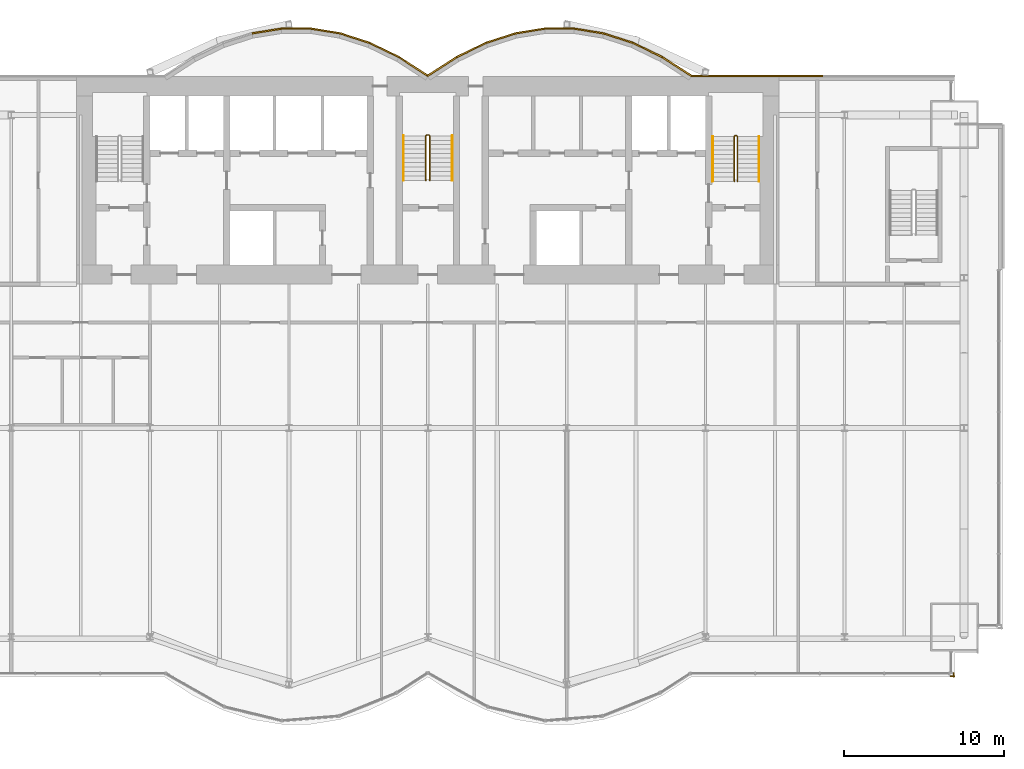
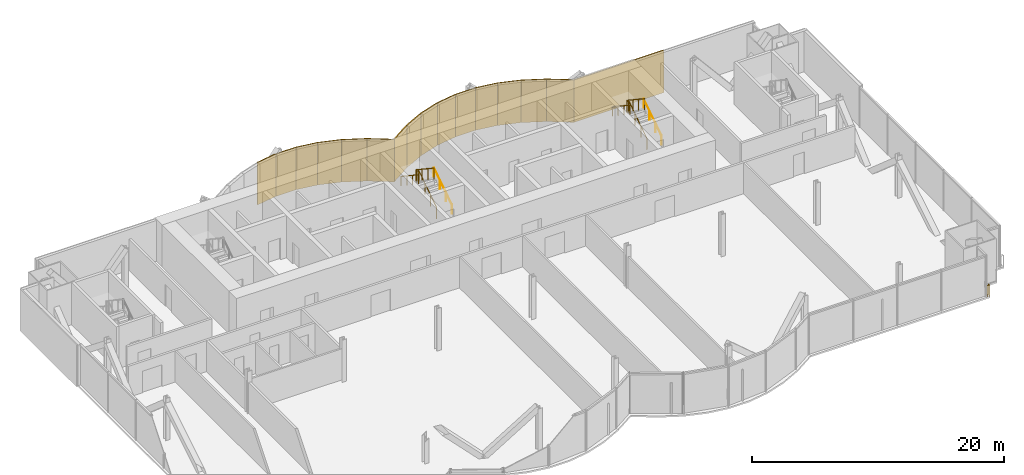
# One storey, part 20 of 21: 16 coverings, 7 railings.
"""IFC4 building model written with IfcOpenShell, lengths in metres."""

from ifc_helpers import new_model, si_unit, direction, frame, origin, origin_2d, place, context, subcontext, project, spatial, rectangle, circle, extrude, material, layer, layer_set, type_object, element, save


model = new_model("IFC4")

# Units and contexts
model_context = context("Model", 3, precision=1e-05, world=origin(), true_north=direction((0.0, 1.0)))
body_context = subcontext(model_context, "Body", "Model", "MODEL_VIEW")
ifc_project = project(units=[si_unit("LENGTHUNIT", "METRE"), si_unit("AREAUNIT", "SQUARE_METRE"), si_unit("VOLUMEUNIT", "CUBIC_METRE"), si_unit("PLANEANGLEUNIT", "RADIAN"), si_unit("MASSUNIT", "GRAM", prefix="KILO")], contexts=[model_context])

# Site, building, storey
site_placement = place(None, origin())
site = spatial("IfcSite", under=ifc_project, at=site_placement, CompositionType="ELEMENT")
building_placement = place(site_placement, origin())
building = spatial("IfcBuilding", under=site, at=building_placement, Name="Bicima Exchange Tower", CompositionType="ELEMENT")
storey_placement = place(building_placement, frame((0.0, 0.0, 114.5)))
storey = spatial("IfcBuildingStorey", under=building, at=storey_placement, Name="L24", CompositionType="ELEMENT", Elevation=114.5)

# Coverings
ifc_material_1 = material(Name="Bronze metal cladding")
ifc_layer_1 = layer(ifc_material_1, 0.004)
ifc_material_2 = material(Name="Ventilated cavity")
ifc_layer_2 = layer(ifc_material_2, 0.06)
ifc_material_3 = material(Name="Galvanised steel rail and mineral wool", Category="steel")
ifc_layer_3 = layer(ifc_material_3, 0.036)
ifc_layer_set = layer_set([ifc_layer_1, ifc_layer_2, ifc_layer_3], Name="Ventilated cavity")
covering_type = type_object("IfcCoveringType", Name="Bronze metal cladding panel 100", PredefinedType="CLADDING", material=ifc_layer_set)
covering_1_placement = place(storey_placement, frame((20.625, 0.050048828125, -0.150146484375), z_axis=(0.0, 0.0, 1.0), x_axis=(-1.0, 0.0, 0.0)))
element("IfcCovering", 1, at=covering_1_placement, inside=storey, type_object=covering_type, Name="Bronze cladding L24 1.2", PredefinedType="CLADDING", context=body_context, shape_type="SweptSolid", body=[
    extrude(rectangle(XDim=8.25, YDim=0.10009765625, at=origin_2d()), origin(), (0.0, 0.0, 1.0), 4.10009765625),
])
covering_2_placement = place(storey_placement, frame((15.610595703125, 0.634521484375, -0.150146484375), z_axis=(0.0, 0.0, 1.0), x_axis=(-0.839790466384, 0.542910648791, 0.0)))
element("IfcCovering", 2, at=covering_2_placement, inside=storey, type_object=covering_type, Name="Bronze cladding L24 2.1", PredefinedType="CLADDING", context=body_context, shape_type="SweptSolid", body=[
    extrude(rectangle(XDim=2.18310546875, YDim=0.10009765625, at=origin_2d()), origin(), (0.0, 0.0, 1.0), 4.10009765625),
])
covering_3_placement = place(storey_placement, frame((13.771728515625, 1.674560546875, -0.150146484375), z_axis=(0.0, 0.0, 1.0), x_axis=(-0.899818346812, 0.436264762204, 0.0)))
element("IfcCovering", 3, at=covering_3_placement, inside=storey, type_object=covering_type, Name="Bronze cladding L24 3.1", PredefinedType="CLADDING", context=body_context, shape_type="SweptSolid", body=[
    extrude(rectangle(XDim=2.03759765625, YDim=0.10009765625, at=origin_2d()), origin(), (0.0, 0.0, 1.0), 4.10009765625),
])
covering_4_placement = place(storey_placement, frame((11.931884765625, 2.41796875, -0.150146484375), z_axis=(0.0, 0.0, 1.0), x_axis=(-0.951524642381, 0.307572519808, 0.0)))
element("IfcCovering", 4, at=covering_4_placement, inside=storey, type_object=covering_type, Name="Bronze cladding L24 4.1", PredefinedType="CLADDING", context=body_context, shape_type="SweptSolid", body=[
    extrude(rectangle(XDim=1.9267578125, YDim=0.10009765625, at=origin_2d()), origin(), (0.0, 0.0, 1.0), 4.10009765625),
])
covering_5_placement = place(storey_placement, frame((10.09130859375, 2.8642578125, -0.150146484375), z_axis=(0.0, 0.0, 1.0), x_axis=(-0.987189786347, 0.159550386184, 0.0)))
element("IfcCovering", 5, at=covering_5_placement, inside=storey, type_object=covering_type, Name="Bronze cladding L24 5.1", PredefinedType="CLADDING", context=body_context, shape_type="SweptSolid", body=[
    extrude(rectangle(XDim=1.857177734375, YDim=0.10009765625, at=origin_2d()), origin(), (0.0, 0.0, 1.0), 4.10009765625),
])
covering_6_placement = place(storey_placement, frame((8.25, 3.012939453125, -0.150146484375), z_axis=(0.0, 0.0, 1.0), x_axis=(-1.0, 0.0, 0.0)))
element("IfcCovering", 6, at=covering_6_placement, inside=storey, type_object=covering_type, Name="Bronze cladding L24 6.1", PredefinedType="CLADDING", context=body_context, shape_type="SweptSolid", body=[
    extrude(rectangle(XDim=1.83349609375, YDim=0.10009765625, at=origin_2d()), origin(), (0.0, 0.0, 1.0), 4.10009765625),
])
covering_7_placement = place(storey_placement, frame((6.40869140625, 2.8642578125, -0.150146484375), z_axis=(0.0, 0.0, 1.0), x_axis=(-0.987189786347, -0.159550386184, 0.0)))
element("IfcCovering", 7, at=covering_7_placement, inside=storey, type_object=covering_type, Name="Bronze cladding L24 7.1", PredefinedType="CLADDING", context=body_context, shape_type="SweptSolid", body=[
    extrude(rectangle(XDim=1.857177734375, YDim=0.10009765625, at=origin_2d()), origin(), (0.0, 0.0, 1.0), 4.10009765625),
])
covering_8_placement = place(storey_placement, frame((4.568115234375, 2.41796875, -0.150146484375), z_axis=(0.0, 0.0, 1.0), x_axis=(-0.951524642381, -0.307572519808, 0.0)))
element("IfcCovering", 8, at=covering_8_placement, inside=storey, type_object=covering_type, Name="Bronze cladding L24 8.1", PredefinedType="CLADDING", context=body_context, shape_type="SweptSolid", body=[
    extrude(rectangle(XDim=1.9267578125, YDim=0.10009765625, at=origin_2d()), origin(), (0.0, 0.0, 1.0), 4.10009765625),
])
covering_9_placement = place(storey_placement, frame((2.728271484375, 1.674560546875, -0.150146484375), z_axis=(0.0, 0.0, 1.0), x_axis=(-0.899818346812, -0.436264762204, 0.0)))
element("IfcCovering", 9, at=covering_9_placement, inside=storey, type_object=covering_type, Name="Bronze cladding L24 9.1", PredefinedType="CLADDING", context=body_context, shape_type="SweptSolid", body=[
    extrude(rectangle(XDim=2.03759765625, YDim=0.10009765625, at=origin_2d()), origin(), (0.0, 0.0, 1.0), 4.10009765625),
])
for number, where, z_axis, x_axis, name in (
    (10, (0.889404296875, 0.634521484375, -0.150146484375), (0.0, 0.0, 1.0), (-0.839790466384, -0.542910648791, 0.0), "Bronze cladding L24 10.1"),
    (11, (-0.889404296875, 0.634521484375, -0.150146484375), (0.0, 0.0, 1.0), (-0.839790466384, 0.542910648791, 0.0), "Bronze cladding L24 11.1"),
):
    element("IfcCovering", number, at=place(storey_placement, frame(where, z_axis=z_axis, x_axis=x_axis)), inside=storey, type_object=covering_type, Name=name, PredefinedType="CLADDING", context=body_context, shape_type="SweptSolid", body=[
        extrude(rectangle(XDim=2.18310546875, YDim=0.10009765625, at=origin_2d()), origin(), (0.0, 0.0, 1.0), 4.10009765625),
    ])
covering_10_placement = place(storey_placement, frame((-2.728271484375, 1.674560546875, -0.150146484375), z_axis=(0.0, 0.0, 1.0), x_axis=(-0.899818346812, 0.436264762204, 0.0)))
element("IfcCovering", 12, at=covering_10_placement, inside=storey, type_object=covering_type, Name="Bronze cladding L24 12.1", PredefinedType="CLADDING", context=body_context, shape_type="SweptSolid", body=[
    extrude(rectangle(XDim=2.03759765625, YDim=0.10009765625, at=origin_2d()), origin(), (0.0, 0.0, 1.0), 4.10009765625),
])
covering_11_placement = place(storey_placement, frame((-4.568115234375, 2.41796875, -0.150146484375), z_axis=(0.0, 0.0, 1.0), x_axis=(-0.951524642381, 0.307572519808, 0.0)))
element("IfcCovering", 13, at=covering_11_placement, inside=storey, type_object=covering_type, Name="Bronze cladding L24 13.1", PredefinedType="CLADDING", context=body_context, shape_type="SweptSolid", body=[
    extrude(rectangle(XDim=1.9267578125, YDim=0.10009765625, at=origin_2d()), origin(), (0.0, 0.0, 1.0), 4.10009765625),
])
covering_12_placement = place(storey_placement, frame((-6.40869140625, 2.8642578125, -0.150146484375), z_axis=(0.0, 0.0, 1.0), x_axis=(-0.987189786347, 0.159550386184, 0.0)))
element("IfcCovering", 14, at=covering_12_placement, inside=storey, type_object=covering_type, Name="Bronze cladding L24 14.1", PredefinedType="CLADDING", context=body_context, shape_type="SweptSolid", body=[
    extrude(rectangle(XDim=1.857177734375, YDim=0.10009765625, at=origin_2d()), origin(), (0.0, 0.0, 1.0), 4.10009765625),
])
covering_13_placement = place(storey_placement, frame((-8.25, 3.012939453125, -0.150146484375), z_axis=(0.0, 0.0, 1.0), x_axis=(-1.0, 0.0, 0.0)))
element("IfcCovering", 15, at=covering_13_placement, inside=storey, type_object=covering_type, Name="Bronze cladding L24 15.1", PredefinedType="CLADDING", context=body_context, shape_type="SweptSolid", body=[
    extrude(rectangle(XDim=1.83349609375, YDim=0.10009765625, at=origin_2d()), origin(), (0.0, 0.0, 1.0), 4.10009765625),
])
covering_14_placement = place(storey_placement, frame((-10.09130859375, 2.8642578125, -0.150146484375), z_axis=(0.0, 0.0, 1.0), x_axis=(-0.987189786347, -0.159550386184, 0.0)))
element("IfcCovering", 16, at=covering_14_placement, inside=storey, type_object=covering_type, Name="Bronze cladding L24 16.1", PredefinedType="CLADDING", context=body_context, shape_type="SweptSolid", body=[
    extrude(rectangle(XDim=1.857177734375, YDim=0.10009765625, at=origin_2d()), origin(), (0.0, 0.0, 1.0), 4.10009765625),
])

# Railings
ifc_material_4 = material(Name="Stainless steel and bonded safety glass", Category="steel")
railing_type_1 = type_object("IfcRailingType", Name="Edge guard 1100", PredefinedType="GUARDRAIL", material=ifc_material_4)
railing_1_placement = place(storey_placement, frame((32.949951171875, -37.35791015625, 0.0)))
element("IfcRailing", 17, at=railing_1_placement, inside=storey, type_object=railing_type_1, Name="Edge guard L24 118", PredefinedType="GUARDRAIL", context=body_context, shape_type="SweptSolid", body=[
    extrude(circle(Radius=0.02392578125, at=origin_2d()), frame((0.0, 0.0, 1.076171875), z_axis=(0.0, -1.0, 0.0), x_axis=(1.0, 0.0, 0.0)), (0.0, 0.0, 1.0), 0.25),
    extrude(circle(Radius=0.02392578125, at=origin_2d()), frame((0.0, -0.25, 1.076171875), z_axis=(0.708833529934, 0.705375805398, 0.0), x_axis=(-0.705375805398, 0.708833529934, 0.0)), (0.0, 0.0, 1.0), 0.070556640625),
    extrude(circle(Radius=0.02392578125, at=origin_2d()), frame((0.050048828125, -0.2001953125, 1.076171875), z_axis=(-1.0, 0.0, 0.0), x_axis=(0.0, -1.0, 0.0)), (0.0, 0.0, 1.0), 0.25),
    extrude(circle(Radius=0.02099609375, at=origin_2d()), origin(), (0.0, 0.0, 1.0), 1.052001953125),
    extrude(circle(Radius=0.02099609375, at=origin_2d()), frame((0.0, -0.25, 0.0)), (0.0, 0.0, 1.0), 1.052001953125),
    extrude(circle(Radius=0.02099609375, at=origin_2d()), frame((0.050048828125, -0.2001953125, 0.0)), (0.0, 0.0, 1.0), 1.052001953125),
    extrude(circle(Radius=0.02099609375, at=origin_2d()), frame((-0.199951171875, -0.2001953125, 0.0)), (0.0, 0.0, 1.0), 1.052001953125),
])
ifc_material_5 = material(Name="Stainless steel", Category="steel")
railing_type_2 = type_object("IfcRailingType", Name="Stair guard 1100", PredefinedType="GUARDRAIL", material=ifc_material_5)
railing_2_placement = place(storey_placement, frame((0.125, -6.5, 0.186279296875)))
element("IfcRailing", 18, at=railing_2_placement, inside=storey, type_object=railing_type_2, Name="L24 ST-C stair guard 1", PredefinedType="GUARDRAIL", context=body_context, shape_type="SweptSolid", body=[
    extrude(circle(Radius=0.02392578125, at=origin_2d()), frame((0.0, 0.0, 1.076171875), z_axis=(0.0, 0.832452072856, 0.554097055034), x_axis=(-1.0, 0.0, 0.0)), (0.0, 0.0, 1.0), 3.363525390625),
    extrude(circle(Radius=0.02392578125, at=origin_2d()), frame((0.0, 2.800048828125, 2.93994140625), z_axis=(-0.707106781187, 0.707106781187, 0.0), x_axis=(-0.707106781187, -0.707106781187, 0.0)), (0.0, 0.0, 1.0), 0.07080078125),
    extrude(circle(Radius=0.02392578125, at=origin_2d()), frame((-0.050048828125, 2.85009765625, 2.93994140625), z_axis=(-1.0, 0.0, 0.0), x_axis=(0.0, -1.0, 0.0)), (0.0, 0.0, 1.0), 0.14990234375),
    extrude(circle(Radius=0.02392578125, at=origin_2d()), frame((-0.199951171875, 2.85009765625, 2.93994140625), z_axis=(-0.251157038772, -0.251157038772, 0.934794246747), x_axis=(0.707106781187, -0.707106781187, 0.0)), (0.0, 0.0, 1.0), 0.19921875),
    extrude(circle(Radius=0.02392578125, at=origin_2d()), frame((-0.25, 2.800048828125, 3.1259765625), z_axis=(0.0, -0.832452072856, 0.554097055034), x_axis=(1.0, 0.0, 0.0)), (0.0, 0.0, 1.0), 3.363525390625),
    extrude(circle(Radius=0.02099609375, at=origin_2d()), origin(), (0.0, 0.0, 1.0), 1.052001953125),
    extrude(circle(Radius=0.02099609375, at=origin_2d()), frame((0.0, 0.933349609375, 0.621337890625)), (0.0, 0.0, 1.0), 1.052001953125),
    extrude(circle(Radius=0.02099609375, at=origin_2d()), frame((0.0, 1.86669921875, 1.242431640625)), (0.0, 0.0, 1.0), 1.052001953125),
    extrude(circle(Radius=0.02099609375, at=origin_2d()), frame((0.0, 2.800048828125, 1.86376953125)), (0.0, 0.0, 1.0), 1.052001953125),
    extrude(circle(Radius=0.02099609375, at=origin_2d()), frame((-0.050048828125, 2.85009765625, 1.86376953125)), (0.0, 0.0, 1.0), 1.052001953125),
    extrude(circle(Radius=0.02099609375, at=origin_2d()), frame((-0.199951171875, 2.85009765625, 1.86376953125)), (0.0, 0.0, 1.0), 1.052001953125),
    extrude(circle(Radius=0.02099609375, at=origin_2d()), frame((-0.25, 2.800048828125, 2.050048828125)), (0.0, 0.0, 1.0), 1.052001953125),
    extrude(circle(Radius=0.02099609375, at=origin_2d()), frame((-0.25, 1.86669921875, 2.67138671875)), (0.0, 0.0, 1.0), 1.052001953125),
    extrude(circle(Radius=0.02099609375, at=origin_2d()), frame((-0.25, 0.933349609375, 3.29248046875)), (0.0, 0.0, 1.0), 1.052001953125),
    extrude(circle(Radius=0.02099609375, at=origin_2d()), frame((-0.25, 0.0, 3.913818359375)), (0.0, 0.0, 1.0), 1.052001953125),
])
railing_3_placement = place(storey_placement, frame((19.39990234375, -6.550048828125, 0.186279296875)))
element("IfcRailing", 19, at=railing_3_placement, inside=storey, type_object=railing_type_2, Name="L24 ST-E stair guard 1", PredefinedType="GUARDRAIL", context=body_context, shape_type="SweptSolid", body=[
    extrude(circle(Radius=0.02392578125, at=origin_2d()), frame((0.0, 0.0, 1.076171875), z_axis=(0.0, 0.832452072856, 0.554097055034), x_axis=(-1.0, 0.0, 0.0)), (0.0, 0.0, 1.0), 3.363525390625),
    extrude(circle(Radius=0.02392578125, at=origin_2d()), frame((0.0, 2.800048828125, 2.93994140625), z_axis=(-0.705375805398, 0.708833529934, 0.0), x_axis=(-0.708833529934, -0.705375805398, 0.0)), (0.0, 0.0, 1.0), 0.070556640625),
    extrude(circle(Radius=0.02392578125, at=origin_2d()), frame((-0.0498046875, 2.85009765625, 2.93994140625), z_axis=(-1.0, 0.0, 0.0), x_axis=(0.0, -1.0, 0.0)), (0.0, 0.0, 1.0), 0.10009765625),
    extrude(circle(Radius=0.02392578125, at=origin_2d()), frame((-0.14990234375, 2.85009765625, 2.93994140625), z_axis=(-0.251157038772, -0.251157038772, 0.934794246747), x_axis=(0.707106781187, -0.707106781187, 0.0)), (0.0, 0.0, 1.0), 0.19921875),
    extrude(circle(Radius=0.02392578125, at=origin_2d()), frame((-0.199951171875, 2.800048828125, 3.1259765625), z_axis=(0.0, -0.832452072856, 0.554097055034), x_axis=(1.0, 0.0, 0.0)), (0.0, 0.0, 1.0), 3.363525390625),
    extrude(circle(Radius=0.02099609375, at=origin_2d()), origin(), (0.0, 0.0, 1.0), 1.052001953125),
    extrude(circle(Radius=0.02099609375, at=origin_2d()), frame((0.0, 0.933349609375, 0.621337890625)), (0.0, 0.0, 1.0), 1.052001953125),
    extrude(circle(Radius=0.02099609375, at=origin_2d()), frame((0.0, 1.86669921875, 1.242431640625)), (0.0, 0.0, 1.0), 1.052001953125),
    extrude(circle(Radius=0.02099609375, at=origin_2d()), frame((0.0, 2.800048828125, 1.86376953125)), (0.0, 0.0, 1.0), 1.052001953125),
    extrude(circle(Radius=0.02099609375, at=origin_2d()), frame((-0.0498046875, 2.85009765625, 1.86376953125)), (0.0, 0.0, 1.0), 1.052001953125),
    extrude(circle(Radius=0.02099609375, at=origin_2d()), frame((-0.14990234375, 2.85009765625, 1.86376953125)), (0.0, 0.0, 1.0), 1.052001953125),
    extrude(circle(Radius=0.02099609375, at=origin_2d()), frame((-0.199951171875, 2.800048828125, 2.050048828125)), (0.0, 0.0, 1.0), 1.052001953125),
    extrude(circle(Radius=0.02099609375, at=origin_2d()), frame((-0.199951171875, 1.86669921875, 2.67138671875)), (0.0, 0.0, 1.0), 1.052001953125),
    extrude(circle(Radius=0.02099609375, at=origin_2d()), frame((-0.199951171875, 0.933349609375, 3.29248046875)), (0.0, 0.0, 1.0), 1.052001953125),
    extrude(circle(Radius=0.02099609375, at=origin_2d()), frame((-0.199951171875, 0.0, 3.913818359375)), (0.0, 0.0, 1.0), 1.052001953125),
])
railing_type_3 = type_object("IfcRailingType", Name="Stair handrail 900", PredefinedType="HANDRAIL", material=ifc_material_5)
railing_4_placement = place(storey_placement, frame((1.52490234375, -6.5, 0.186279296875)))
element("IfcRailing", 20, at=railing_4_placement, inside=storey, type_object=railing_type_3, Name="L24 ST-C stair handrail 1", PredefinedType="HANDRAIL", context=body_context, shape_type="SweptSolid", body=[
    extrude(circle(Radius=0.02392578125, at=origin_2d()), frame((0.0, 0.0, 0.8759765625), z_axis=(0.0, 0.832452072856, 0.554097055034), x_axis=(-1.0, 0.0, 0.0)), (0.0, 0.0, 1.0), 3.363525390625),
    extrude(circle(Radius=0.02099609375, at=origin_2d()), origin(), (0.0, 0.0, 1.0), 0.851806640625),
    extrude(circle(Radius=0.02099609375, at=origin_2d()), frame((0.0, 0.933349609375, 0.621337890625)), (0.0, 0.0, 1.0), 0.851806640625),
    extrude(circle(Radius=0.02099609375, at=origin_2d()), frame((0.0, 1.86669921875, 1.242431640625)), (0.0, 0.0, 1.0), 0.851806640625),
    extrude(circle(Radius=0.02099609375, at=origin_2d()), frame((0.0, 2.800048828125, 1.86376953125)), (0.0, 0.0, 1.0), 0.851806640625),
])
railing_5_placement = place(storey_placement, frame((-1.52490234375, -3.699951171875, 2.27685546875)))
element("IfcRailing", 21, at=railing_5_placement, inside=storey, type_object=railing_type_3, Name="L24 ST-C stair handrail 2", PredefinedType="HANDRAIL", context=body_context, shape_type="SweptSolid", body=[
    extrude(circle(Radius=0.02392578125, at=origin_2d()), frame((0.0, 0.0, 0.8759765625), z_axis=(0.0, -0.832485552168, 0.554046753832), x_axis=(1.0, 0.0, 0.0)), (0.0, 0.0, 1.0), 3.363525390625),
    extrude(circle(Radius=0.02099609375, at=origin_2d()), origin(), (0.0, 0.0, 1.0), 0.851806640625),
    extrude(circle(Radius=0.02099609375, at=origin_2d()), frame((0.0, -0.933349609375, 0.62109375)), (0.0, 0.0, 1.0), 0.851806640625),
    extrude(circle(Radius=0.02099609375, at=origin_2d()), frame((0.0, -1.86669921875, 1.242431640625)), (0.0, 0.0, 1.0), 0.851806640625),
    extrude(circle(Radius=0.02099609375, at=origin_2d()), frame((0.0, -2.800048828125, 1.863525390625)), (0.0, 0.0, 1.0), 0.851806640625),
])
railing_6_placement = place(storey_placement, frame((20.75, -6.550048828125, 0.186279296875)))
element("IfcRailing", 22, at=railing_6_placement, inside=storey, type_object=railing_type_3, Name="L24 ST-E stair handrail 1", PredefinedType="HANDRAIL", context=body_context, shape_type="SweptSolid", body=[
    extrude(circle(Radius=0.02392578125, at=origin_2d()), frame((0.0, 0.0, 0.8759765625), z_axis=(0.0, 0.832452072856, 0.554097055034), x_axis=(-1.0, 0.0, 0.0)), (0.0, 0.0, 1.0), 3.363525390625),
    extrude(circle(Radius=0.02099609375, at=origin_2d()), origin(), (0.0, 0.0, 1.0), 0.851806640625),
    extrude(circle(Radius=0.02099609375, at=origin_2d()), frame((0.0, 0.933349609375, 0.621337890625)), (0.0, 0.0, 1.0), 0.851806640625),
    extrude(circle(Radius=0.02099609375, at=origin_2d()), frame((0.0, 1.86669921875, 1.242431640625)), (0.0, 0.0, 1.0), 0.851806640625),
    extrude(circle(Radius=0.02099609375, at=origin_2d()), frame((0.0, 2.800048828125, 1.86376953125)), (0.0, 0.0, 1.0), 0.851806640625),
])
railing_7_placement = place(storey_placement, frame((17.85009765625, -3.75, 2.27685546875)))
element("IfcRailing", 23, at=railing_7_placement, inside=storey, type_object=railing_type_3, Name="L24 ST-E stair handrail 2", PredefinedType="HANDRAIL", context=body_context, shape_type="SweptSolid", body=[
    extrude(circle(Radius=0.02392578125, at=origin_2d()), frame((0.0, 0.0, 0.8759765625), z_axis=(0.0, -0.832485552168, 0.554046753832), x_axis=(1.0, 0.0, 0.0)), (0.0, 0.0, 1.0), 3.363525390625),
    extrude(circle(Radius=0.02099609375, at=origin_2d()), origin(), (0.0, 0.0, 1.0), 0.851806640625),
    extrude(circle(Radius=0.02099609375, at=origin_2d()), frame((0.0, -0.933349609375, 0.62109375)), (0.0, 0.0, 1.0), 0.851806640625),
    extrude(circle(Radius=0.02099609375, at=origin_2d()), frame((0.0, -1.86669921875, 1.242431640625)), (0.0, 0.0, 1.0), 0.851806640625),
    extrude(circle(Radius=0.02099609375, at=origin_2d()), frame((0.0, -2.800048828125, 1.863525390625)), (0.0, 0.0, 1.0), 0.851806640625),
])

save(model, "model.ifc")
